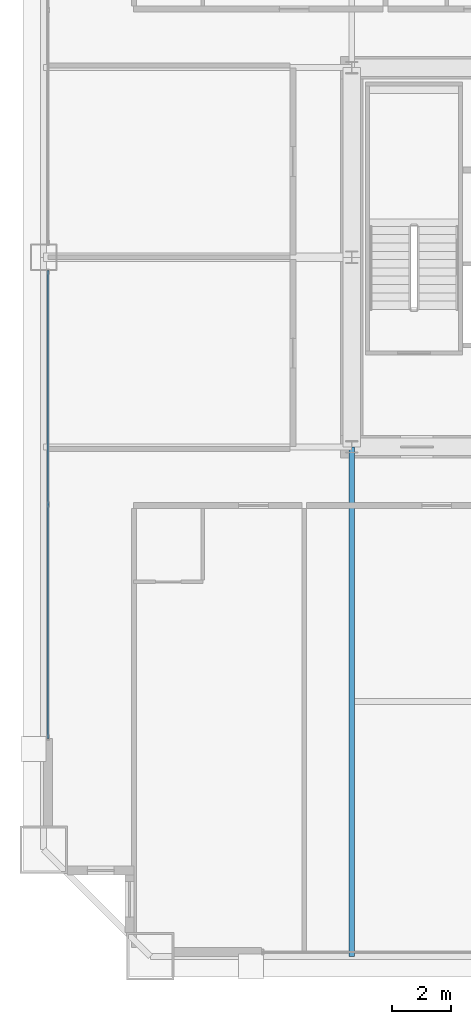
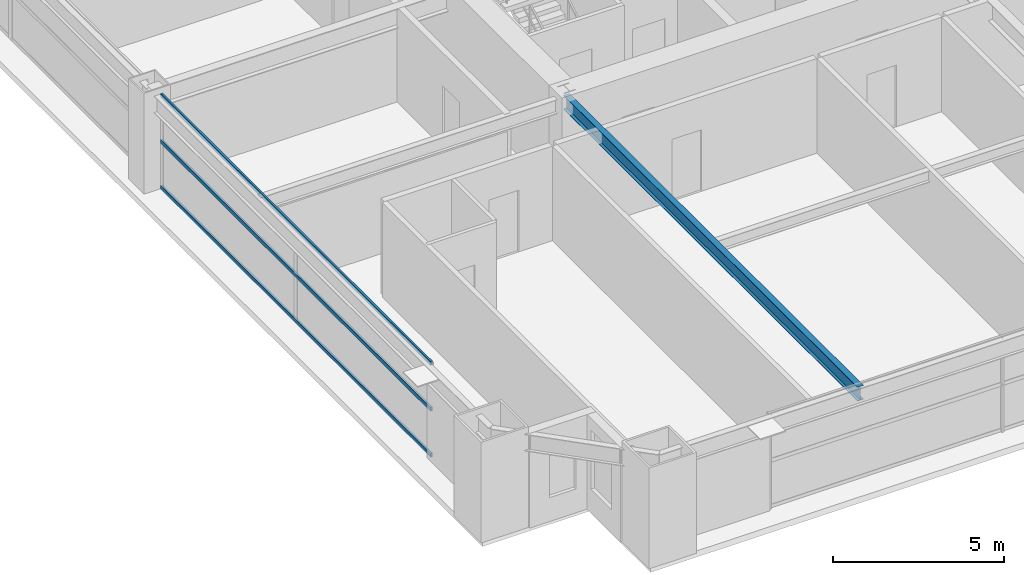
# One storey, part 9 of 39: 3 members, 1 beam, 1 element without a shape of its own.
"""IFC4 building model written with IfcOpenShell, lengths in metres."""

from ifc_helpers import new_model, si_unit, direction, frame, origin, origin_2d, place, context, subcontext, project, spatial, hollow_rectangle, i_section, extrude, source, transform, mapped, material, layer, layer_set, material_profile, profile_set, type_object, element, aggregate, save


model = new_model("IFC4")

# Units and contexts
model_context = context("Model", 3, precision=1e-05, world=origin(), true_north=direction((0.0, 1.0)))
body_context = subcontext(model_context, "Body", "Model", "MODEL_VIEW")
ifc_project = project(units=[si_unit("LENGTHUNIT", "METRE"), si_unit("AREAUNIT", "SQUARE_METRE"), si_unit("VOLUMEUNIT", "CUBIC_METRE"), si_unit("PLANEANGLEUNIT", "RADIAN"), si_unit("MASSUNIT", "GRAM", prefix="KILO"), si_unit("THERMODYNAMICTEMPERATUREUNIT", "KELVIN"), si_unit("POWERUNIT", "WATT")], contexts=[model_context])

# Site, building, storey
site_placement = place(None, origin())
site = spatial("IfcSite", under=ifc_project, at=site_placement, CompositionType="ELEMENT")
building_placement = place(site_placement, origin())
building = spatial("IfcBuilding", under=site, at=building_placement, Name="Yuzanri Waterfront Tower", CompositionType="ELEMENT")
storey_placement = place(building_placement, frame((0.0, 0.0, 148.800048828125)))
storey = spatial("IfcBuildingStorey", under=building, at=storey_placement, Name="L39", CompositionType="ELEMENT", Elevation=148.800048828125)

# Beam
ifc_material_1 = material(Name="Steel Q355B", Category="steel")
ifc_material_profile_1 = material_profile(ifc_material_1, i_section(OverallWidth=0.199951171875, OverallDepth=0.5, WebThickness=0.010009765625, FlangeThickness=0.01611328125, at=origin_2d()), Name="HN 500x200x10x16")
ifc_profile_set_1 = profile_set([ifc_material_profile_1], Name="Steel Q355B")
beam_type = type_object("IfcBeamType", Name="Secondary Floor Beam Q355B HN 500x200", PredefinedType="BEAM", material=ifc_profile_set_1)
shared_shape_1 = source(origin(), body_context, "Body", "SweptSolid", [
    extrude(i_section(OverallWidth=0.199951171875, OverallDepth=0.5, WebThickness=0.010009765625, FlangeThickness=0.01611328125, at=origin_2d()), origin(), (0.0, 0.0, 1.0), 17.199951171875),
])
beam_placement = place(storey_placement, frame((23.800048828125, 19.39990234375, 3.1298828125), z_axis=(0.0, -1.0, 0.0), x_axis=(1.0, 0.0, 0.0)))
element("IfcBeam", 1, at=beam_placement, inside=storey, type_object=beam_type, Name="L39 South-West Core Line Beam", PredefinedType="BEAM", context=body_context, shape_type="MappedRepresentation", body=[
    mapped(shared_shape_1, transform((0.0, 0.0, 0.0), scale=1.0)),
])

# Curtain wall, members
ifc_material_2 = material(Name="Anodized Architectural Bronze", Category="metal")
ifc_layer = layer(ifc_material_2, 0.159912109375)
ifc_layer_set = layer_set([ifc_layer], Name="Anodized Architectural Bronze")
curtain_wall_type = type_object("IfcCurtainWallType", Name="Anodized Bronze Hotel Upper-Tier Solar-Control Unitized Curtain Wall 7800", PredefinedType="NOTDEFINED", material=ifc_layer_set)
curtain_wall_placement = place(storey_placement, origin())
curtain_wall = element("IfcCurtainWall", 2, at=curtain_wall_placement, inside=storey, type_object=curtain_wall_type, Name="L39 Curtain Wall CW-L39-WL", PredefinedType="NOTDEFINED")
ifc_material_3 = material(Name="Anodized Architectural Bronze", Category="metal")
ifc_material_profile_2 = material_profile(ifc_material_3, hollow_rectangle(XDim=0.070068359375, YDim=0.135009765625, WallThickness=0.00341796875, at=origin_2d()), Name="CWT 70x135")
ifc_profile_set_2 = profile_set([ifc_material_profile_2], Name="Anodized Architectural Bronze")
member_type = type_object("IfcMemberType", Name="Anodized Bronze Standard Curtain-Wall Transom 70x135", PredefinedType="USERDEFINED", material=ifc_profile_set_2)
shared_shape_2 = source(origin(), body_context, "Body", "SweptSolid", [
    extrude(hollow_rectangle(XDim=0.070068359375, YDim=0.135009765625, WallThickness=0.00341796875, at=origin_2d()), origin(), (0.0, 0.0, 1.0), 15.800048828125),
])
member_1_placement = place(storey_placement, frame((13.550048828125, 9.550048828125, 0.050048828125), z_axis=(0.0, 1.0, 0.0), x_axis=(-1.0, 0.0, 0.0)))
member_1 = element("IfcMember", 3, at=member_1_placement, type_object=member_type, Name="CW-L39-WL Transom 1", ObjectType="TRANSOM", PredefinedType="USERDEFINED", context=body_context, shape_type="MappedRepresentation", body=[
    mapped(shared_shape_2, transform((0.0, 0.0, 0.0), scale=1.0)),
])
member_2_placement = place(storey_placement, frame((13.550048828125, 9.550048828125, 1.68994140625), z_axis=(0.0, 1.0, 0.0), x_axis=(-1.0, 0.0, 0.0)))
member_2 = element("IfcMember", 4, at=member_2_placement, type_object=member_type, Name="CW-L39-WL Transom 2", ObjectType="TRANSOM", PredefinedType="USERDEFINED", context=body_context, shape_type="MappedRepresentation", body=[
    mapped(shared_shape_2, transform((0.0, 0.0, 0.0), scale=1.0)),
])
member_3_placement = place(storey_placement, frame((13.550048828125, 9.550048828125, 3.329833984375), z_axis=(0.0, 1.0, 0.0), x_axis=(-1.0, 0.0, 0.0)))
member_3 = element("IfcMember", 5, at=member_3_placement, type_object=member_type, Name="CW-L39-WL Transom 3", ObjectType="TRANSOM", PredefinedType="USERDEFINED", context=body_context, shape_type="MappedRepresentation", body=[
    mapped(shared_shape_2, transform((0.0, 0.0, 0.0), scale=1.0)),
])
aggregate(curtain_wall, [member_1, member_2, member_3])

save(model, "model.ifc")
